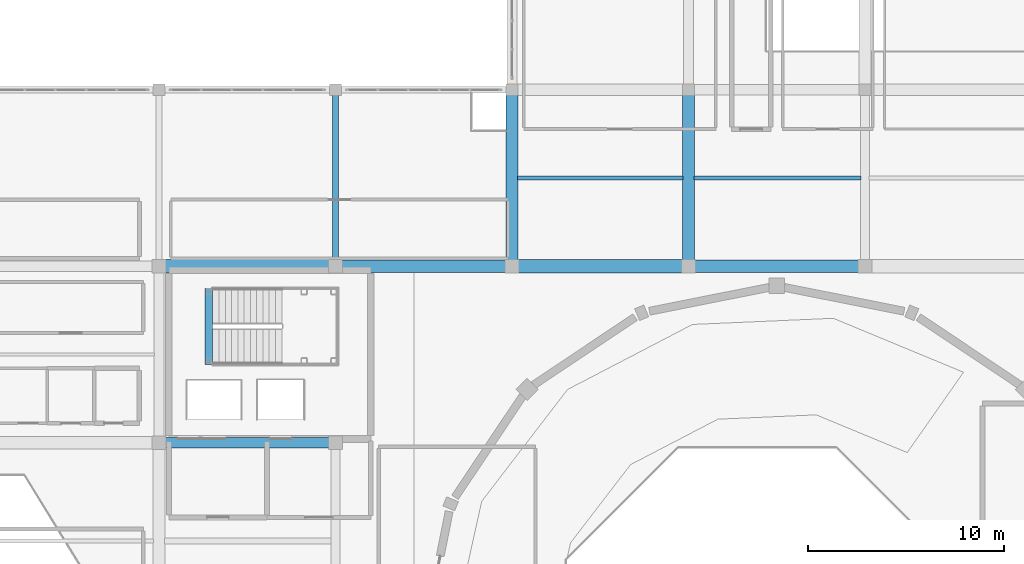
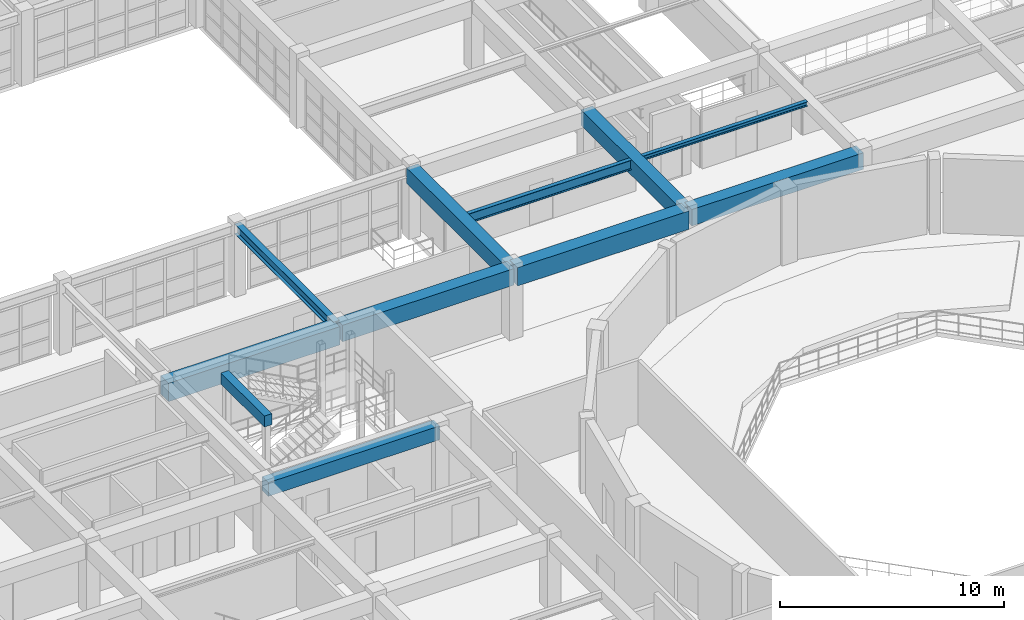
# One storey, part 55 of 110: 11 beams.
"""IFC4 building model written with IfcOpenShell, lengths in metres."""

from ifc_helpers import new_model, si_unit, direction, frame, origin, origin_2d, place, context, subcontext, project, spatial, rectangle, i_section, extrude, material, material_profile, profile_set, type_object, element, save


model = new_model("IFC4")

# Units and contexts
model_context = context("Model", 3, precision=1e-05, world=origin(), true_north=direction((0.0, 1.0)))
body_context = subcontext(model_context, "Body", "Model", "MODEL_VIEW")
ifc_project = project(units=[si_unit("LENGTHUNIT", "METRE"), si_unit("AREAUNIT", "SQUARE_METRE"), si_unit("VOLUMEUNIT", "CUBIC_METRE"), si_unit("PLANEANGLEUNIT", "RADIAN"), si_unit("MASSUNIT", "GRAM", prefix="KILO")], contexts=[model_context])

# Site, building, storey
site_placement = place(None, origin())
site = spatial("IfcSite", under=ifc_project, at=site_placement, CompositionType="ELEMENT")
building_placement = place(site_placement, origin())
building = spatial("IfcBuilding", under=site, at=building_placement, Name="Miravela Opera House", CompositionType="ELEMENT")
storey_placement = place(building_placement, frame((0.0, 0.0, 13.60009765625)))
storey = spatial("IfcBuildingStorey", under=building, at=storey_placement, Name="L03", CompositionType="ELEMENT", Elevation=13.60009765625)

# Beams
ifc_material_1 = material(Name="Concrete C35/45", Category="concrete")
ifc_material_profile_1 = material_profile(ifc_material_1, rectangle(XDim=0.39990234375, YDim=0.60009765625, at=origin_2d()), Name="RC-BM-400X600")
ifc_profile_set_1 = profile_set([ifc_material_profile_1])
beam_type_1 = type_object("IfcBeamType", Name="STR-BM-RC400X600", PredefinedType="JOIST", material=ifc_profile_set_1)
beam_1_placement = place(storey_placement, frame((47.5400390625, 70.0, 3.77978515625), z_axis=(0.0, 1.0, 0.0), x_axis=(-1.0, 0.0, 0.0)))
element("IfcBeam", 1, at=beam_1_placement, inside=storey, type_object=beam_type_1, Name="Stair K1 Opening Header Trimmer Beam 04", PredefinedType="JOIST", context=body_context, shape_type="SweptSolid", body=[
    extrude(rectangle(XDim=0.39990234375, YDim=0.60009765625, at=origin_2d()), origin(), (0.0, 0.0, 1.0), 3.8798828125),
])
ifc_material_profile_2 = material_profile(ifc_material_1, rectangle(XDim=0.550048828125, YDim=0.75, at=origin_2d()), Name="RC-BM-550X750")
ifc_profile_set_2 = profile_set([ifc_material_profile_2])
beam_type_2 = type_object("IfcBeamType", Name="STR-BM-RC550X750", PredefinedType="BEAM", material=ifc_profile_set_2)
beam_2_placement = place(storey_placement, frame((45.080078125, 66.0, 3.46484375), z_axis=(1.0, 0.0, 0.0), x_axis=(0.0, 1.0, 0.0)))
element("IfcBeam", 2, at=beam_2_placement, inside=storey, type_object=beam_type_2, Name="Floor Girder L03 6-7/H", PredefinedType="BEAM", context=body_context, shape_type="SweptSolid", body=[
    extrude(rectangle(XDim=0.550048828125, YDim=0.75, at=origin_2d()), origin(), (0.0, 0.0, 1.0), 8.83984375),
])
ifc_material_2 = material(Name="Concrete C40/50", Category="concrete")
ifc_material_profile_3 = material_profile(ifc_material_2, rectangle(XDim=0.60009765625, YDim=0.85009765625, at=origin_2d()), Name="RC-BM-600X850")
ifc_profile_set_3 = profile_set([ifc_material_profile_3])
beam_type_3 = type_object("IfcBeamType", Name="STR-BM-RC600X850", PredefinedType="BEAM", material=ifc_profile_set_3)
for number, where, z_axis, x_axis, name in (
    (3, (63.0, 75.080078125, 3.385009765625), (0.0, 1.0, 0.0), (-1.0, 0.0, 0.0), "Floor Girder L03 8/I-J"),
    (4, (72.0, 75.080078125, 3.385009765625), (0.0, 1.0, 0.0), (-1.0, 0.0, 0.0), "Floor Girder L03 9/I-J"),
):
    element("IfcBeam", number, at=place(storey_placement, frame(where, z_axis=z_axis, x_axis=x_axis)), inside=storey, type_object=beam_type_3, Name=name, PredefinedType="BEAM", context=body_context, shape_type="SweptSolid", body=[
        extrude(rectangle(XDim=0.60009765625, YDim=0.85009765625, at=origin_2d()), origin(), (0.0, 0.0, 1.0), 8.83984375),
    ])
ifc_material_profile_4 = material_profile(ifc_material_2, rectangle(XDim=0.64990234375, YDim=0.89990234375, at=origin_2d()), Name="RC-BM-650X900")
ifc_profile_set_4 = profile_set([ifc_material_profile_4])
beam_type_4 = type_object("IfcBeamType", Name="STR-BM-RC650X900", PredefinedType="BEAM", material=ifc_profile_set_4)
for number, where, z_axis, x_axis, name in (
    (5, (54.080078125, 75.0, 3.389892578125), (1.0, 0.0, 0.0), (0.0, 1.0, 0.0), "Floor Girder L03 7-8/I"),
    (6, (72.080078125, 75.0, 3.389892578125), (1.0, 0.0, 0.0), (0.0, 1.0, 0.0), "Floor Girder L03 9-10/I"),
):
    element("IfcBeam", number, at=place(storey_placement, frame(where, z_axis=z_axis, x_axis=x_axis)), inside=storey, type_object=beam_type_4, Name=name, PredefinedType="BEAM", context=body_context, shape_type="SweptSolid", body=[
        extrude(rectangle(XDim=0.64990234375, YDim=0.89990234375, at=origin_2d()), origin(), (0.0, 0.0, 1.0), 8.83984375),
    ])
ifc_material_profile_5 = material_profile(ifc_material_2, rectangle(XDim=0.699951171875, YDim=1.0, at=origin_2d()), Name="RC-BM-700X1000")
ifc_profile_set_5 = profile_set([ifc_material_profile_5])
beam_type_5 = type_object("IfcBeamType", Name="STR-BM-RC700X1000", PredefinedType="BEAM", material=ifc_profile_set_5)
for number, where, z_axis, x_axis, name in (
    (7, (45.080078125, 75.0, 3.33984375), (1.0, 0.0, 0.0), (0.0, 1.0, 0.0), "Floor Girder L03 6-7/I"),
    (8, (63.080078125, 75.0, 3.33984375), (1.0, 0.0, 0.0), (0.0, 1.0, 0.0), "Floor Girder L03 8-9/I"),
):
    element("IfcBeam", number, at=place(storey_placement, frame(where, z_axis=z_axis, x_axis=x_axis)), inside=storey, type_object=beam_type_5, Name=name, PredefinedType="BEAM", context=body_context, shape_type="SweptSolid", body=[
        extrude(rectangle(XDim=0.699951171875, YDim=1.0, at=origin_2d()), origin(), (0.0, 0.0, 1.0), 8.83984375),
    ])
ifc_material_3 = material(Name="Structural steel ASTM A992 Gr. 50", Category="steel")
ifc_material_profile_6 = material_profile(ifc_material_3, i_section(OverallWidth=0.201904296875, OverallDepth=0.2470703125, WebThickness=0.00732421875, FlangeThickness=0.010986328125, FilletRadius=0.011962890625, at=origin_2d()), Name="W250X49")
ifc_profile_set_6 = profile_set([ifc_material_profile_6])
beam_type_6 = type_object("IfcBeamType", Name="STR-BM-W250X49", PredefinedType="LINTEL", material=ifc_profile_set_6)
beam_3_placement = place(storey_placement, frame((72.284912109375, 79.5, 3.6865234375), z_axis=(1.0, 0.0, 0.0), x_axis=(0.0, 1.0, 0.0)))
element("IfcBeam", 9, at=beam_3_placement, inside=storey, type_object=beam_type_6, Name="Secondary Floor Joist L03 9-10/I-J", PredefinedType="LINTEL", context=body_context, shape_type="SweptSolid", body=[
    extrude(i_section(OverallWidth=0.201904296875, OverallDepth=0.2470703125, WebThickness=0.00732421875, FlangeThickness=0.010986328125, FilletRadius=0.011962890625, at=origin_2d()), origin(), (0.0, 0.0, 1.0), 8.505126953125),
])
ifc_material_profile_7 = material_profile(ifc_material_3, i_section(OverallWidth=0.31201171875, OverallDepth=0.54296875, WebThickness=0.0126953125, FlangeThickness=0.020263671875, FilletRadius=0.01611328125, at=origin_2d()), Name="W530X150")
ifc_profile_set_7 = profile_set([ifc_material_profile_7])
beam_type_7 = type_object("IfcBeamType", Name="STR-BM-W530X150", PredefinedType="BEAM", material=ifc_profile_set_7)
beam_4_placement = place(storey_placement, frame((54.0, 75.080078125, 3.568359375), z_axis=(0.0, 1.0, 0.0), x_axis=(-1.0, 0.0, 0.0)))
element("IfcBeam", 10, at=beam_4_placement, inside=storey, type_object=beam_type_7, Name="Roof King-Post Transverse Tie Girder ROOF-V3-WEST-S T4.1", PredefinedType="BEAM", context=body_context, shape_type="SweptSolid", body=[
    extrude(i_section(OverallWidth=0.31201171875, OverallDepth=0.54296875, WebThickness=0.0126953125, FlangeThickness=0.020263671875, FilletRadius=0.01611328125, at=origin_2d()), origin(), (0.0, 0.0, 1.0), 8.83984375),
])
ifc_material_profile_8 = material_profile(ifc_material_3, i_section(OverallWidth=0.208984375, OverallDepth=0.532958984375, WebThickness=0.01025390625, FlangeThickness=0.015625, FilletRadius=0.014892578125, at=origin_2d()), Name="W530X92")
ifc_profile_set_8 = profile_set([ifc_material_profile_8])
beam_type_8 = type_object("IfcBeamType", Name="STR-BM-W530X92", PredefinedType="BEAM", material=ifc_profile_set_8)
beam_5_placement = place(storey_placement, frame((63.284912109375, 79.5, 3.54345703125), z_axis=(1.0, 0.0, 0.0), x_axis=(0.0, 1.0, 0.0)))
element("IfcBeam", 11, at=beam_5_placement, inside=storey, type_object=beam_type_8, Name="Secondary Floor Joist L03 8-9/I-J", PredefinedType="BEAM", context=body_context, shape_type="SweptSolid", body=[
    extrude(i_section(OverallWidth=0.208984375, OverallDepth=0.532958984375, WebThickness=0.01025390625, FlangeThickness=0.015625, FilletRadius=0.014892578125, at=origin_2d()), origin(), (0.0, 0.0, 1.0), 8.43017578125),
])

save(model, "model.ifc")
